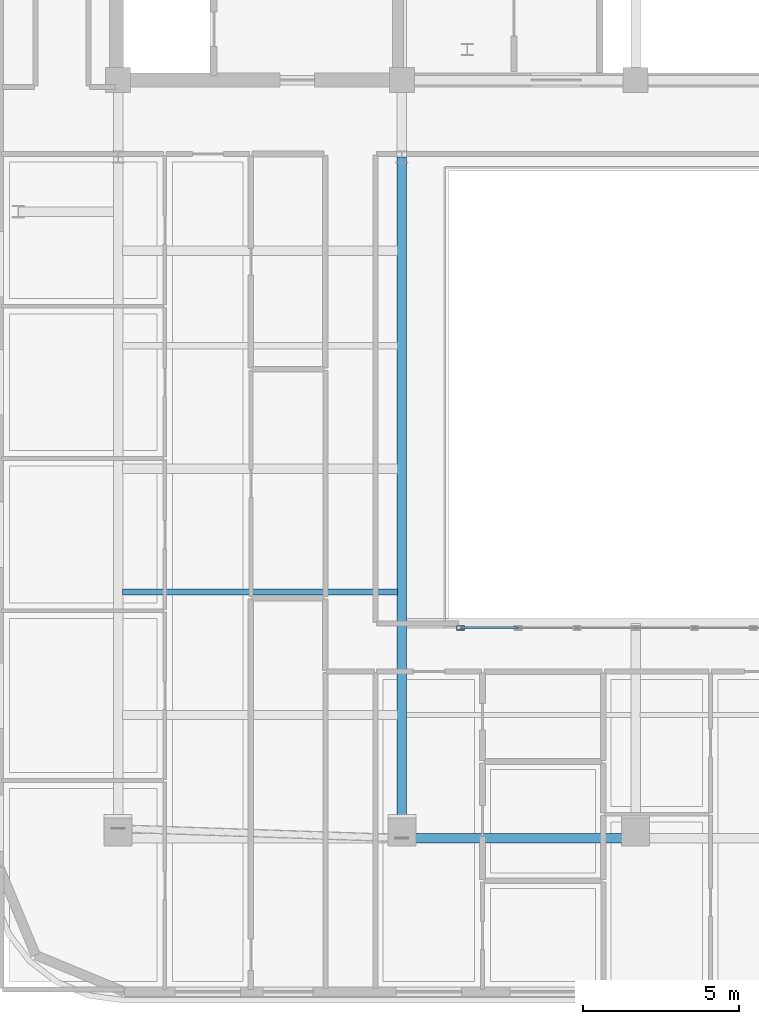
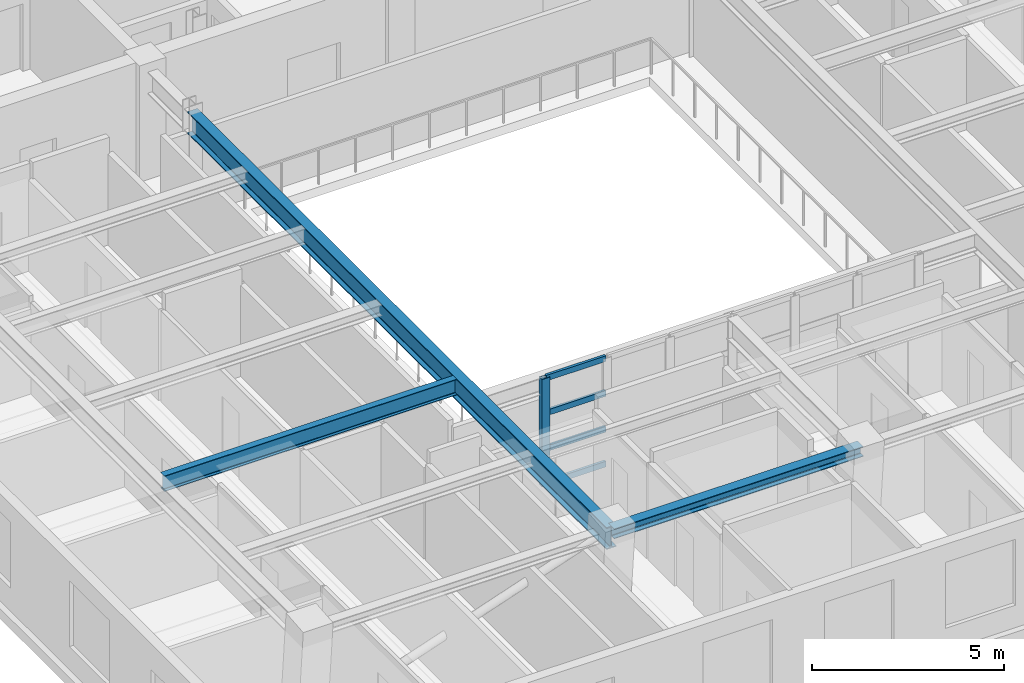
# One storey, part 2 of 13: 5 members, 3 beams, 1 element without a shape of its own.
"""IFC4 building model written with IfcOpenShell, lengths in metres."""

from ifc_helpers import new_model, si_unit, direction, frame, origin, origin_2d, place, context, subcontext, project, spatial, hollow_rectangle, i_section, extrude, material, layer, layer_set, material_profile, profile_set, type_object, element, aggregate, save


model = new_model("IFC4")

# Units and contexts
model_context = context("Model", 3, precision=1e-05, world=origin(), true_north=direction((0.0, 1.0)))
body_context = subcontext(model_context, "Body", "Model", "MODEL_VIEW")
ifc_project = project(units=[si_unit("LENGTHUNIT", "METRE"), si_unit("AREAUNIT", "SQUARE_METRE"), si_unit("VOLUMEUNIT", "CUBIC_METRE"), si_unit("PLANEANGLEUNIT", "RADIAN"), si_unit("MASSUNIT", "GRAM", prefix="KILO")], contexts=[model_context])

# Site, building, storey
site_placement = place(None, origin())
site = spatial("IfcSite", under=ifc_project, at=site_placement, CompositionType="ELEMENT")
building_placement = place(site_placement, origin())
building = spatial("IfcBuilding", under=site, at=building_placement, Name="Zarnavel Station Tower", CompositionType="ELEMENT")
storey_placement = place(building_placement, frame((0.0, 0.0, 247.300048828125)))
storey = spatial("IfcBuildingStorey", under=building, at=storey_placement, Name="L67", CompositionType="ELEMENT", Elevation=247.300048828125)

# Curtain wall, members
ifc_material_1 = material(Name="Aluminium Dark Anodised and Solar-Control Glass", Category="aluminium")
ifc_layer = layer(ifc_material_1, 0.179931640625)
ifc_layer_set = layer_set([ifc_layer], Name="CWS6")
curtain_wall_type = type_object("IfcCurtainWallType", Name="CWS6", PredefinedType="NOTDEFINED", material=ifc_layer_set)
curtain_wall_placement = place(storey_placement, origin())
curtain_wall = element("IfcCurtainWall", 1, at=curtain_wall_placement, inside=storey, type_object=curtain_wall_type, Name="L67 Curtain Wall CWS6-L67-AS", PredefinedType="NOTDEFINED")
ifc_material_2 = material(Name="Steel S355J2 (Black Fluoropolymer Coated)", Category="steel")
ifc_material_profile_1 = material_profile(ifc_material_2, hollow_rectangle(XDim=0.14990234375, YDim=0.25, WallThickness=0.010009765625, at=origin_2d()), Name="RHS250x150x10")
ifc_profile_set_1 = profile_set([ifc_material_profile_1], Name="Steel S355J2 (Black Fluoropolymer Coated)")
member_type_1 = type_object("IfcMemberType", Name="CWS6_MUL", PredefinedType="MULLION", material=ifc_profile_set_1)
member_1_placement = place(storey_placement, frame((23.179931640625, 10.25, 0.0), z_axis=(0.0, 0.0, 1.0), x_axis=(0.0, 1.0, 0.0)))
member_1 = element("IfcMember", 2, at=member_1_placement, type_object=member_type_1, Name="CW6 mullion 1", PredefinedType="MULLION", context=body_context, shape_type="SweptSolid", body=[
    extrude(hollow_rectangle(XDim=0.14990234375, YDim=0.25, WallThickness=0.010009765625, at=origin_2d()), origin(), (0.0, 0.0, 1.0), 3.419921875),
])
ifc_material_3 = material(Name="Steel S355J2 (Black Fluoropolymer Coated)", Category="steel")
ifc_material_profile_2 = material_profile(ifc_material_3, hollow_rectangle(XDim=0.080078125, YDim=0.179931640625, WallThickness=0.00634765625, at=origin_2d()), Name="RHS180x80x6.3")
ifc_profile_set_2 = profile_set([ifc_material_profile_2], Name="Steel S355J2 (Black Fluoropolymer Coated)")
member_type_2 = type_object("IfcMemberType", Name="CWS6_TRN", PredefinedType="USERDEFINED", material=ifc_profile_set_2)
member_2_placement = place(storey_placement, frame((23.2099609375, 10.25, 0.030029296875), z_axis=(1.0, 0.0, 0.0), x_axis=(0.0, 1.0, 0.0)))
member_2 = element("IfcMember", 3, at=member_2_placement, type_object=member_type_2, Name="CW6 transom 1.1", ObjectType="TRANSOM", PredefinedType="USERDEFINED", context=body_context, shape_type="SweptSolid", body=[
    extrude(hollow_rectangle(XDim=0.080078125, YDim=0.179931640625, WallThickness=0.00634765625, at=origin_2d()), origin(), (0.0, 0.0, 1.0), 1.79345703125),
])
member_3_placement = place(storey_placement, frame((23.2099609375, 10.25, 1.139892578125), z_axis=(1.0, 0.0, 0.0), x_axis=(0.0, 1.0, 0.0)))
member_3 = element("IfcMember", 4, at=member_3_placement, type_object=member_type_2, Name="CW6 transom 1.2", ObjectType="TRANSOM", PredefinedType="USERDEFINED", context=body_context, shape_type="SweptSolid", body=[
    extrude(hollow_rectangle(XDim=0.080078125, YDim=0.179931640625, WallThickness=0.00634765625, at=origin_2d()), origin(), (0.0, 0.0, 1.0), 1.79345703125),
])
member_4_placement = place(storey_placement, frame((23.2099609375, 10.25, 2.280029296875), z_axis=(1.0, 0.0, 0.0), x_axis=(0.0, 1.0, 0.0)))
member_4 = element("IfcMember", 5, at=member_4_placement, type_object=member_type_2, Name="CW6 transom 1.3", ObjectType="TRANSOM", PredefinedType="USERDEFINED", context=body_context, shape_type="SweptSolid", body=[
    extrude(hollow_rectangle(XDim=0.080078125, YDim=0.179931640625, WallThickness=0.00634765625, at=origin_2d()), origin(), (0.0, 0.0, 1.0), 1.79345703125),
])
member_5_placement = place(storey_placement, frame((23.2099609375, 10.25, 3.389892578125), z_axis=(1.0, 0.0, 0.0), x_axis=(0.0, 1.0, 0.0)))
member_5 = element("IfcMember", 6, at=member_5_placement, type_object=member_type_2, Name="CW6 transom 1.4", ObjectType="TRANSOM", PredefinedType="USERDEFINED", context=body_context, shape_type="SweptSolid", body=[
    extrude(hollow_rectangle(XDim=0.080078125, YDim=0.179931640625, WallThickness=0.00634765625, at=origin_2d()), origin(), (0.0, 0.0, 1.0), 1.79345703125),
])
aggregate(curtain_wall, [member_1, member_2, member_3, member_4, member_5])

# Beams
ifc_material_4 = material(Name="Steel S355J2", Category="steel")
ifc_material_profile_3 = material_profile(ifc_material_4, i_section(OverallWidth=0.300048828125, OverallDepth=0.320068359375, WebThickness=0.011474609375, FlangeThickness=0.0205078125, FilletRadius=0.027099609375, at=origin_2d()), Name="HEB320")
ifc_profile_set_3 = profile_set([ifc_material_profile_3], Name="Steel S355J2")
beam_type_1 = type_object("IfcBeamType", Name="EB_HEB320", PredefinedType="SPANDREL", material=ifc_profile_set_3)
beam_1_placement = place(storey_placement, frame((21.300048828125, 3.5078125, 3.260009765625), z_axis=(1.0, 0.0, 0.0), x_axis=(0.0, 1.0, 0.0)))
element("IfcBeam", 7, at=beam_1_placement, inside=storey, type_object=beam_type_1, Name="L67 South Raked Spandrel 2", PredefinedType="SPANDREL", context=body_context, shape_type="SweptSolid", body=[
    extrude(i_section(OverallWidth=0.300048828125, OverallDepth=0.320068359375, WebThickness=0.011474609375, FlangeThickness=0.0205078125, FilletRadius=0.027099609375, at=origin_2d()), origin(), (0.0, 0.0, 1.0), 7.5),
])
ifc_material_5 = material(Name="Steel S355J2", Category="steel")
ifc_material_profile_4 = material_profile(ifc_material_5, i_section(OverallWidth=0.199951171875, OverallDepth=0.5, WebThickness=0.01025390625, FlangeThickness=0.01611328125, FilletRadius=0.02099609375, at=origin_2d()), Name="IPE500")
ifc_profile_set_4 = profile_set([ifc_material_profile_4], Name="Steel S355J2")
beam_type_2 = type_object("IfcBeamType", Name="FB_IPE500", PredefinedType="BEAM", material=ifc_profile_set_4)
beam_2_placement = place(storey_placement, frame((12.344970703125, 11.405029296875, 3.169921875), z_axis=(1.0, 0.0, 0.0), x_axis=(0.0, 1.0, 0.0)))
element("IfcBeam", 8, at=beam_2_placement, inside=storey, type_object=beam_type_2, Name="L67 West Bay Beam 2", PredefinedType="BEAM", context=body_context, shape_type="SweptSolid", body=[
    extrude(i_section(OverallWidth=0.199951171875, OverallDepth=0.5, WebThickness=0.01025390625, FlangeThickness=0.01611328125, FilletRadius=0.02099609375, at=origin_2d()), origin(), (0.0, 0.0, 1.0), 8.81005859375),
])
ifc_material_6 = material(Name="Steel S355J2", Category="steel")
ifc_material_profile_5 = material_profile(ifc_material_6, i_section(OverallWidth=0.300048828125, OverallDepth=0.699951171875, WebThickness=0.01708984375, FlangeThickness=0.031982421875, FilletRadius=0.027099609375, at=origin_2d()), Name="HEB700")
ifc_profile_set_5 = profile_set([ifc_material_profile_5], Name="Steel S355J2")
beam_type_3 = type_object("IfcBeamType", Name="FG_HEB700", PredefinedType="USERDEFINED", material=ifc_profile_set_5)
beam_3_placement = place(storey_placement, frame((21.300048828125, 3.5078125, 3.070068359375), z_axis=(0.0, 1.0, 0.0), x_axis=(-1.0, 0.0, 0.0)))
element("IfcBeam", 9, at=beam_3_placement, inside=storey, type_object=beam_type_3, Name="L67 South-Zone NS Girder 2", ObjectType="GIRDER", PredefinedType="USERDEFINED", context=body_context, shape_type="SweptSolid", body=[
    extrude(i_section(OverallWidth=0.300048828125, OverallDepth=0.699951171875, WebThickness=0.01708984375, FlangeThickness=0.031982421875, FilletRadius=0.027099609375, at=origin_2d()), origin(), (0.0, 0.0, 1.0), 21.84228515625),
])

save(model, "model.ifc")
